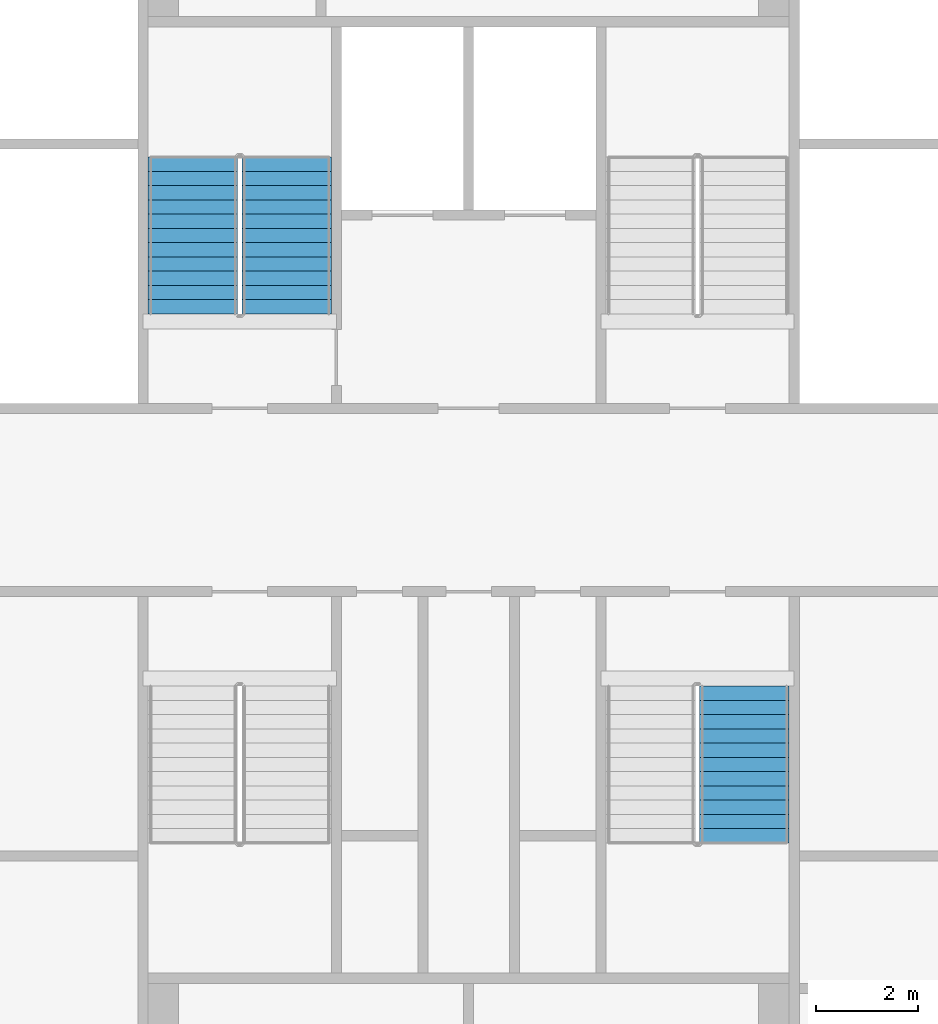
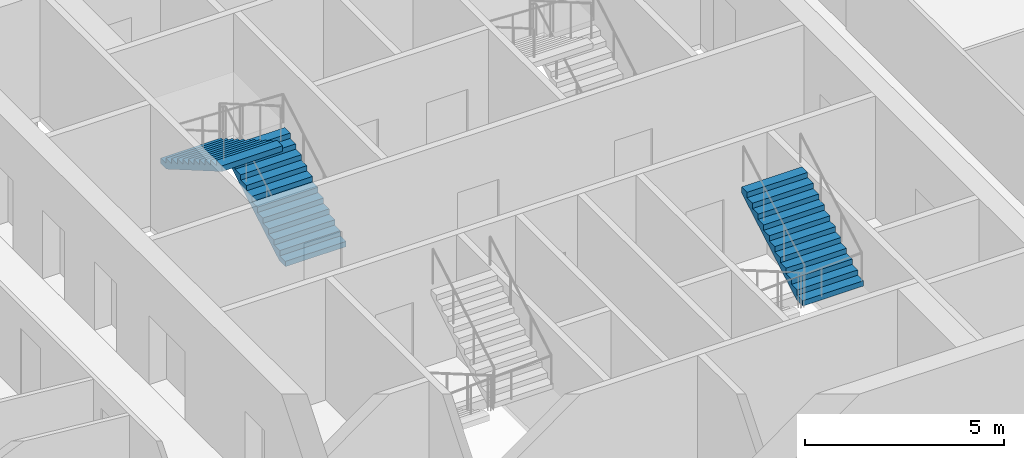
# One storey, part 8 of 14: 3 stair flights, 2 elements without a shape of their own.
"""IFC4 building model written with IfcOpenShell, lengths in metres."""

import ifcopenshell
import ifcopenshell.guid

model = None  # the IFC model being written
_history = None  # IfcOwnerHistory: only IFC2X3 demands one
_inside = {}  # id of a spatial element -> (the spatial element, [elements in it])
_under = {}  # id of a project, library or spatial element -> (it, [spatial elements below it])
_declared = {}  # id of a project -> (the project, [libraries it declares])
_typed = {}  # id of a type object -> (the type object, [elements of that type])
_made_of = {}  # id of a material, layer set ... -> (it, [elements and type objects made of it])


def new_model(schema):
    """Start an empty IFC model of exactly this schema.

    Asked for "IFC4X3", IfcOpenShell would pick the latest addendum, in which some entities
    have other attributes; the version numbers below select the first issue.
    IFC2X3 requires an IfcOwnerHistory on every rooted entity: one is made here for all.
    """
    global model, _history
    if schema == "IFC4X3":
        model = ifcopenshell.file(schema_version=(4, 3, 0, 0))
    else:
        model = ifcopenshell.file(schema=schema)
    _inside.clear()
    _under.clear()
    _declared.clear()
    _typed.clear()
    _made_of.clear()
    _history = None
    if model.schema == "IFC2X3":
        org = make("IfcOrganization", Name="unknown")
        user = make(
            "IfcPersonAndOrganization",
            ThePerson=make("IfcPerson", FamilyName="unknown"),
            TheOrganization=org,
        )
        app = make(
            "IfcApplication",
            ApplicationDeveloper=org,
            Version="unknown",
            ApplicationFullName="unknown",
            ApplicationIdentifier="unknown",
        )
        _history = make(
            "IfcOwnerHistory",
            OwningUser=user,
            OwningApplication=app,
            ChangeAction="ADDED",
            CreationDate=0,
        )
    return model


def make(cls, **values):
    """One entity of the class cls with the attributes given. An attribute that is None is left unset."""
    return model.create_entity(
        cls, **{name: value for name, value in values.items() if value is not None}
    )


def rooted(cls, **values):
    """An entity with a GlobalId (a new one), such as an element, a storey or a relation."""
    return make(cls, GlobalId=ifcopenshell.guid.new(), OwnerHistory=_history, **values)


def si_unit(unit_type, name, prefix=None):
    """IfcSIUnit, for example si_unit("LENGTHUNIT", "METRE", prefix="MILLI")."""
    return make("IfcSIUnit", UnitType=unit_type, Prefix=prefix, Name=name)


def assignment(units):
    """IfcUnitAssignment: the units of a project."""
    return None if units is None else make("IfcUnitAssignment", Units=units)


def point(xyz):
    """IfcCartesianPoint."""
    return None if xyz is None else make("IfcCartesianPoint", Coordinates=xyz)


def direction(xyz):
    """IfcDirection."""
    return None if xyz is None else make("IfcDirection", DirectionRatios=xyz)


def frame(location, z_axis=None, x_axis=None):
    """IfcAxis2Placement3D, a coordinate frame: its origin and axes. An axis left out is left unset."""
    return make(
        "IfcAxis2Placement3D",
        Location=point(location),
        Axis=direction(z_axis),
        RefDirection=direction(x_axis),
    )


def origin():
    """The frame at (0, 0, 0) with its axes left unset."""
    return frame((0.0, 0.0, 0.0))


def place(relative_to, where):
    """IfcLocalPlacement: puts the frame where relative to a parent placement (None: the world)."""
    return make(
        "IfcLocalPlacement", PlacementRelTo=relative_to, RelativePlacement=where
    )


def context(
    kind, dimensions, precision=None, world=None, true_north=None, identifier=None
):
    """IfcGeometricRepresentationContext, for example the 3D "Model" context."""
    return make(
        "IfcGeometricRepresentationContext",
        ContextIdentifier=identifier,
        ContextType=kind,
        CoordinateSpaceDimension=dimensions,
        Precision=precision,
        WorldCoordinateSystem=world,
        TrueNorth=true_north,
    )


def subcontext(parent, identifier, kind, view, scale=None):
    """IfcGeometricRepresentationSubContext, for example "Body" below "Model"."""
    return make(
        "IfcGeometricRepresentationSubContext",
        ContextIdentifier=identifier,
        ContextType=kind,
        ParentContext=parent,
        TargetScale=scale,
        TargetView=view,
    )


def project(units=None, contexts=None):
    """IfcProject with its units and contexts."""
    return rooted(
        "IfcProject",
        Name="project",
        RepresentationContexts=contexts,
        UnitsInContext=assignment(units),
    )


def spatial(cls, under=None, at=None, **own):
    """A site, building, storey or space (cls), placed at a placement, below another one or the project."""
    s = rooted(cls, ObjectPlacement=at, **own)
    if under is not None:
        _under.setdefault(under.id(), (under, []))[1].append(s)
    return s


def faces_of(points, faces, orient=None, outer=None):
    """IfcFace entities. A face is a list of loops; a loop is a list of indices into points, from 0.

    orient and outer hold one flag for each loop. By default every Orientation is true, the
    first loop of a face is its IfcFaceOuterBound and the others are IfcFaceBound.
    """
    made = []
    for i, loops in enumerate(faces):
        bounds = []
        for j, loop in enumerate(loops):
            is_outer = j == 0 if outer is None else outer[i][j]
            bounds.append(
                make(
                    "IfcFaceOuterBound" if is_outer else "IfcFaceBound",
                    Bound=make("IfcPolyLoop", Polygon=[points[k] for k in loop]),
                    Orientation=True if orient is None else orient[i][j],
                )
            )
        made.append(make("IfcFace", Bounds=bounds))
    return made


def faceted_brep(points, faces, orient=None, outer=None, voids=None):
    """IfcFacetedBrep: a solid bounded by flat faces; with voids (closed shells), ...WithVoids."""
    shared = [point(p) for p in points]
    hull = make("IfcClosedShell", CfsFaces=faces_of(shared, faces, orient, outer))
    if voids is None:
        return make("IfcFacetedBrep", Outer=hull)
    return make(
        "IfcFacetedBrepWithVoids",
        Outer=hull,
        Voids=[
            make(cls, CfsFaces=faces_of(shared, fs, o, b)) for cls, fs, o, b in voids
        ],
    )


def shape(context_of_items, identifier, shape_type, items):
    """IfcShapeRepresentation: the items that make up one representation, for example the "Body"."""
    return make(
        "IfcShapeRepresentation",
        ContextOfItems=context_of_items,
        RepresentationIdentifier=identifier,
        RepresentationType=shape_type,
        Items=items,
    )


def material(Name=None, Category=None):
    """IfcMaterial."""
    return make("IfcMaterial", Name=Name, Category=Category)


def made_of(thing, what):
    """Note that an element or type object is made of a material, layer set ...; save() writes the relation."""
    if what is not None:
        _made_of.setdefault(what.id(), (what, []))[1].append(thing)
    return thing


def type_object(cls, material=None, **own):
    """A type object (cls), such as IfcWallType, which elements share."""
    return made_of(rooted(cls, **own), material)


def element(
    cls,
    number,
    at=None,
    inside=None,
    cuts=None,
    type_object=None,
    material=None,
    context=None,
    identifier="Body",
    shape_type=None,
    held_by="IfcProductDefinitionShape",
    body=None,
    shapes=None,
    **own,
):
    """One element of the class cls, such as IfcWall. Its Tag is "e" and its number.

    at: its placement. inside: the storey or other place that contains it. cuts: it is an
    opening in that element (IfcRelVoidsElement). A single representation is given by context,
    identifier, shape_type and body (its items); several are given by shapes. held_by: the class
    of the entity that holds the representations. save() writes the other relations.
    """
    e = rooted(cls, Tag="e%d" % number, ObjectPlacement=at, **own)
    if body is not None:
        shapes = [shape(context, identifier, shape_type, body)]
    if shapes is not None:
        e.Representation = make(held_by, Representations=shapes)
    if inside is not None:
        _inside.setdefault(inside.id(), (inside, []))[1].append(e)
    if cuts is not None:
        rooted(
            "IfcRelVoidsElement", RelatingBuildingElement=cuts, RelatedOpeningElement=e
        )
    if type_object is not None:
        _typed.setdefault(type_object.id(), (type_object, []))[1].append(e)
    return made_of(e, material)


def aggregate(whole, parts):
    """IfcRelAggregates: a whole, such as a stair, and the parts it consists of."""
    return rooted("IfcRelAggregates", RelatingObject=whole, RelatedObjects=parts)


def save(model, path):
    """Write the relations noted so far, then the file.

    IfcRelAggregates (storeys below a building ...), IfcRelContainedInSpatialStructure (elements
    in a storey), IfcRelDefinesByType, IfcRelAssociatesMaterial and IfcRelDeclares: one each for
    every whole, place, type object, material and project.
    """
    for whole, parts in _under.values():
        aggregate(whole, parts)
    for where, things in _inside.values():
        rooted(
            "IfcRelContainedInSpatialStructure",
            RelatedElements=things,
            RelatingStructure=where,
        )
    for kind, things in _typed.values():
        rooted("IfcRelDefinesByType", RelatedObjects=things, RelatingType=kind)
    for what, things in _made_of.values():
        rooted("IfcRelAssociatesMaterial", RelatedObjects=things, RelatingMaterial=what)
    for by, libraries in _declared.values():
        rooted("IfcRelDeclares", RelatingContext=by, RelatedDefinitions=libraries)
    model.write(path)


model = new_model("IFC4")

# Units and contexts
model_context = context("Model", 3, precision=1e-05, world=origin(), true_north=direction((0.0, 1.0)))
body_context = subcontext(model_context, "Body", "Model", "MODEL_VIEW")
ifc_project = project(units=[si_unit("LENGTHUNIT", "METRE"), si_unit("AREAUNIT", "SQUARE_METRE"), si_unit("VOLUMEUNIT", "CUBIC_METRE"), si_unit("PLANEANGLEUNIT", "RADIAN"), si_unit("MASSUNIT", "GRAM", prefix="KILO")], contexts=[model_context])

# Site, building, storey
site_placement = place(None, origin())
site = spatial("IfcSite", under=ifc_project, at=site_placement, CompositionType="ELEMENT")
building_placement = place(site_placement, origin())
building = spatial("IfcBuilding", under=site, at=building_placement, Name="Tarsis Ring Headquarters", CompositionType="ELEMENT")
storey_placement = place(building_placement, frame((0.0, 0.0, 259.10009765625)))
storey = spatial("IfcBuildingStorey", under=building, at=storey_placement, Name="L60", CompositionType="ELEMENT", Elevation=259.10009765625)

# Stair, stair flights
ifc_material_1 = material(Name="Core stair 1760")
stair_type = type_object("IfcStairType", Name="Core stair 1760", PredefinedType="HALF_TURN_STAIR", material=ifc_material_1)
stair_1_placement = place(storey_placement, origin())
stair_1 = element("IfcStair", 1, at=stair_1_placement, inside=storey, type_object=stair_type, Name="L60 Firefighting stair", PredefinedType="HALF_TURN_STAIR")
ifc_material_2 = material(Name="Concrete C40/50", Category="concrete")
stair_flight_type = type_object("IfcStairFlightType", Name="Core stair flight 1760", PredefinedType="STRAIGHT", material=ifc_material_2)
stair_flight_1_placement = place(storey_placement, frame((-3.580078125, 3.659912109375, 0.0), z_axis=(0.0, 0.0, 1.0), x_axis=(0.0, 1.0, 0.0)))
stair_flight_1 = element("IfcStairFlight", 2, at=stair_flight_1_placement, type_object=stair_flight_type, Name="Stair ST1 flight 1", NumberOfRisers=12, NumberOfTreads=11, PredefinedType="STRAIGHT", RiserHeight=0.1625, TreadLength=0.28, context=body_context, shape_type="Brep", body=[
    faceted_brep([(0.0, 0.8798828125, 0.0), (0.0, 0.8798828125, 0.16259765625), (0.280029296875, 0.8798828125, 0.16259765625), (0.280029296875, 0.8798828125, 0.324951171875), (0.56005859375, 0.8798828125, 0.324951171875), (0.56005859375, 0.8798828125, 0.487548828125), (0.840087890625, 0.8798828125, 0.487548828125), (0.840087890625, 0.8798828125, 0.64990234375), (1.1201171875, 0.8798828125, 0.64990234375), (1.1201171875, 0.8798828125, 0.8125), (1.39990234375, 0.8798828125, 0.8125), (1.39990234375, 0.8798828125, 0.97509765625), (1.679931640625, 0.8798828125, 0.97509765625), (1.679931640625, 0.8798828125, 1.137451171875), (1.9599609375, 0.8798828125, 1.137451171875), (1.9599609375, 0.8798828125, 1.300048828125), (2.239990234375, 0.8798828125, 1.300048828125), (2.239990234375, 0.8798828125, 1.46240234375), (2.52001953125, 0.8798828125, 1.46240234375), (2.52001953125, 0.8798828125, 1.625), (2.800048828125, 0.8798828125, 1.625), (2.800048828125, 0.8798828125, 1.78759765625), (3.080078125, 0.8798828125, 1.78759765625), (3.080078125, 0.8798828125, 1.6142578125), (0.298583984375, 0.8798828125, 0.0), (0.298583984375, -0.8798828125, 0.0), (3.080078125, -0.8798828125, 1.6142578125), (3.080078125, -0.8798828125, 1.78759765625), (2.800048828125, -0.8798828125, 1.78759765625), (2.800048828125, -0.8798828125, 1.625), (2.52001953125, -0.8798828125, 1.625), (2.52001953125, -0.8798828125, 1.46240234375), (2.239990234375, -0.8798828125, 1.46240234375), (2.239990234375, -0.8798828125, 1.300048828125), (1.9599609375, -0.8798828125, 1.300048828125), (1.9599609375, -0.8798828125, 1.137451171875), (1.679931640625, -0.8798828125, 1.137451171875), (1.679931640625, -0.8798828125, 0.97509765625), (1.39990234375, -0.8798828125, 0.97509765625), (1.39990234375, -0.8798828125, 0.8125), (1.1201171875, -0.8798828125, 0.8125), (1.1201171875, -0.8798828125, 0.64990234375), (0.840087890625, -0.8798828125, 0.64990234375), (0.840087890625, -0.8798828125, 0.487548828125), (0.56005859375, -0.8798828125, 0.487548828125), (0.56005859375, -0.8798828125, 0.324951171875), (0.280029296875, -0.8798828125, 0.324951171875), (0.280029296875, -0.8798828125, 0.16259765625), (0.0, -0.8798828125, 0.16259765625), (0.0, -0.8798828125, 0.0), (0.0, -0.43994140625, 0.16259765625), (0.0, -0.43994140625, 0.0), (0.0, 0.0, 0.16259765625), (0.0, 0.0, 0.0), (0.0, 0.43994140625, 0.16259765625), (0.0, 0.43994140625, 0.0), (0.280029296875, -0.43994140625, 0.16259765625), (0.280029296875, 0.0, 0.16259765625), (0.280029296875, 0.43994140625, 0.16259765625), (0.280029296875, -0.43994140625, 0.324951171875), (0.280029296875, 0.0, 0.324951171875), (0.280029296875, 0.43994140625, 0.324951171875), (0.56005859375, -0.43994140625, 0.324951171875), (0.56005859375, 0.0, 0.324951171875), (0.56005859375, 0.43994140625, 0.324951171875), (0.56005859375, -0.43994140625, 0.487548828125), (0.56005859375, 0.0, 0.487548828125), (0.56005859375, 0.43994140625, 0.487548828125), (0.840087890625, -0.43994140625, 0.487548828125), (0.840087890625, 0.0, 0.487548828125), (0.840087890625, 0.43994140625, 0.487548828125), (0.840087890625, -0.43994140625, 0.64990234375), (0.840087890625, 0.0, 0.64990234375), (0.840087890625, 0.43994140625, 0.64990234375), (1.1201171875, -0.43994140625, 0.64990234375), (1.1201171875, 0.0, 0.64990234375), (1.1201171875, 0.43994140625, 0.64990234375), (1.1201171875, -0.43994140625, 0.8125), (1.1201171875, 0.0, 0.8125), (1.1201171875, 0.43994140625, 0.8125), (1.39990234375, -0.43994140625, 0.8125), (1.39990234375, 0.0, 0.8125), (1.39990234375, 0.43994140625, 0.8125), (1.39990234375, -0.43994140625, 0.97509765625), (1.39990234375, 0.0, 0.97509765625), (1.39990234375, 0.43994140625, 0.97509765625), (1.679931640625, -0.43994140625, 0.97509765625), (1.679931640625, 0.0, 0.97509765625), (1.679931640625, 0.43994140625, 0.97509765625), (1.679931640625, -0.43994140625, 1.137451171875), (1.679931640625, 0.0, 1.137451171875), (1.679931640625, 0.43994140625, 1.137451171875), (1.9599609375, -0.43994140625, 1.137451171875), (1.9599609375, 0.0, 1.137451171875), (1.9599609375, 0.43994140625, 1.137451171875), (1.9599609375, -0.43994140625, 1.300048828125), (1.9599609375, 0.0, 1.300048828125), (1.9599609375, 0.43994140625, 1.300048828125), (2.239990234375, -0.43994140625, 1.300048828125), (2.239990234375, 0.0, 1.300048828125), (2.239990234375, 0.43994140625, 1.300048828125), (2.239990234375, -0.43994140625, 1.46240234375), (2.239990234375, 0.0, 1.46240234375), (2.239990234375, 0.43994140625, 1.46240234375), (2.52001953125, -0.43994140625, 1.46240234375), (2.52001953125, 0.0, 1.46240234375), (2.52001953125, 0.43994140625, 1.46240234375), (2.52001953125, -0.43994140625, 1.625), (2.52001953125, 0.0, 1.625), (2.52001953125, 0.43994140625, 1.625), (2.800048828125, -0.43994140625, 1.625), (2.800048828125, 0.0, 1.625), (2.800048828125, 0.43994140625, 1.625), (2.800048828125, -0.43994140625, 1.78759765625), (2.800048828125, 0.0, 1.78759765625), (2.800048828125, 0.43994140625, 1.78759765625), (3.080078125, -0.43994140625, 1.78759765625), (3.080078125, 0.0, 1.78759765625), (3.080078125, 0.43994140625, 1.78759765625), (3.080078125, -0.43994140625, 1.6142578125), (3.080078125, 0.0, 1.6142578125), (3.080078125, 0.43994140625, 1.6142578125), (0.298583984375, -0.43994140625, 0.0), (0.298583984375, 0.0, 0.0), (0.298583984375, 0.43994140625, 0.0)], [[[0, 1, 2, 3, 4, 5, 6, 7, 8, 9, 10, 11, 12, 13, 14, 15, 16, 17, 18, 19, 20, 21, 22, 23, 24]], [[25, 26, 27, 28, 29, 30, 31, 32, 33, 34, 35, 36, 37, 38, 39, 40, 41, 42, 43, 44, 45, 46, 47, 48, 49]], [[49, 48, 50, 51]], [[51, 50, 52, 53]], [[53, 52, 54, 55]], [[55, 54, 1, 0]], [[48, 47, 56, 50]], [[50, 56, 57, 52]], [[52, 57, 58, 54]], [[54, 58, 2, 1]], [[47, 46, 59, 56]], [[56, 59, 60, 57]], [[57, 60, 61, 58]], [[58, 61, 3, 2]], [[46, 45, 62, 59]], [[59, 62, 63, 60]], [[60, 63, 64, 61]], [[61, 64, 4, 3]], [[45, 44, 65, 62]], [[62, 65, 66, 63]], [[63, 66, 67, 64]], [[64, 67, 5, 4]], [[44, 43, 68, 65]], [[65, 68, 69, 66]], [[66, 69, 70, 67]], [[67, 70, 6, 5]], [[43, 42, 71, 68]], [[68, 71, 72, 69]], [[69, 72, 73, 70]], [[70, 73, 7, 6]], [[42, 41, 74, 71]], [[71, 74, 75, 72]], [[72, 75, 76, 73]], [[73, 76, 8, 7]], [[41, 40, 77, 74]], [[74, 77, 78, 75]], [[75, 78, 79, 76]], [[76, 79, 9, 8]], [[40, 39, 80, 77]], [[77, 80, 81, 78]], [[78, 81, 82, 79]], [[79, 82, 10, 9]], [[39, 38, 83, 80]], [[80, 83, 84, 81]], [[81, 84, 85, 82]], [[82, 85, 11, 10]], [[38, 37, 86, 83]], [[83, 86, 87, 84]], [[84, 87, 88, 85]], [[85, 88, 12, 11]], [[37, 36, 89, 86]], [[86, 89, 90, 87]], [[87, 90, 91, 88]], [[88, 91, 13, 12]], [[36, 35, 92, 89]], [[89, 92, 93, 90]], [[90, 93, 94, 91]], [[91, 94, 14, 13]], [[35, 34, 95, 92]], [[92, 95, 96, 93]], [[93, 96, 97, 94]], [[94, 97, 15, 14]], [[34, 33, 98, 95]], [[95, 98, 99, 96]], [[96, 99, 100, 97]], [[97, 100, 16, 15]], [[33, 32, 101, 98]], [[98, 101, 102, 99]], [[99, 102, 103, 100]], [[100, 103, 17, 16]], [[32, 31, 104, 101]], [[101, 104, 105, 102]], [[102, 105, 106, 103]], [[103, 106, 18, 17]], [[31, 30, 107, 104]], [[104, 107, 108, 105]], [[105, 108, 109, 106]], [[106, 109, 19, 18]], [[30, 29, 110, 107]], [[107, 110, 111, 108]], [[108, 111, 112, 109]], [[109, 112, 20, 19]], [[29, 28, 113, 110]], [[110, 113, 114, 111]], [[111, 114, 115, 112]], [[112, 115, 21, 20]], [[28, 27, 116, 113]], [[113, 116, 117, 114]], [[114, 117, 118, 115]], [[115, 118, 22, 21]], [[27, 26, 119, 116]], [[116, 119, 120, 117]], [[117, 120, 121, 118]], [[118, 121, 23, 22]], [[26, 25, 122, 119]], [[119, 122, 123, 120]], [[120, 123, 124, 121]], [[121, 124, 24, 23]], [[25, 49, 51, 122]], [[122, 51, 53, 123]], [[123, 53, 55, 124]], [[124, 55, 0, 24]]]),
])
stair_flight_2_placement = place(storey_placement, frame((-5.419921875, 6.739990234375, 1.949951171875), z_axis=(0.0, 0.0, 1.0), x_axis=(0.0, -1.0, 0.0)))
stair_flight_2 = element("IfcStairFlight", 3, at=stair_flight_2_placement, type_object=stair_flight_type, Name="Stair ST1 flight 2", NumberOfRisers=12, NumberOfTreads=11, PredefinedType="STRAIGHT", RiserHeight=0.1625, TreadLength=0.28, context=body_context, shape_type="Brep", body=[
    faceted_brep([(0.0, 0.8798828125, 0.0), (0.0, 0.8798828125, 0.16259765625), (0.280029296875, 0.8798828125, 0.16259765625), (0.280029296875, 0.8798828125, 0.324951171875), (0.56005859375, 0.8798828125, 0.324951171875), (0.56005859375, 0.8798828125, 0.487548828125), (0.840087890625, 0.8798828125, 0.487548828125), (0.840087890625, 0.8798828125, 0.64990234375), (1.1201171875, 0.8798828125, 0.64990234375), (1.1201171875, 0.8798828125, 0.8125), (1.39990234375, 0.8798828125, 0.8125), (1.39990234375, 0.8798828125, 0.97509765625), (1.679931640625, 0.8798828125, 0.97509765625), (1.679931640625, 0.8798828125, 1.137451171875), (1.9599609375, 0.8798828125, 1.137451171875), (1.9599609375, 0.8798828125, 1.300048828125), (2.239990234375, 0.8798828125, 1.300048828125), (2.239990234375, 0.8798828125, 1.46240234375), (2.52001953125, 0.8798828125, 1.46240234375), (2.52001953125, 0.8798828125, 1.625), (2.800048828125, 0.8798828125, 1.625), (2.800048828125, 0.8798828125, 1.78759765625), (3.080078125, 0.8798828125, 1.78759765625), (3.080078125, 0.8798828125, 1.6142578125), (0.298583984375, 0.8798828125, 0.0), (0.298583984375, -0.8798828125, 0.0), (3.080078125, -0.8798828125, 1.6142578125), (3.080078125, -0.8798828125, 1.78759765625), (2.800048828125, -0.8798828125, 1.78759765625), (2.800048828125, -0.8798828125, 1.625), (2.52001953125, -0.8798828125, 1.625), (2.52001953125, -0.8798828125, 1.46240234375), (2.239990234375, -0.8798828125, 1.46240234375), (2.239990234375, -0.8798828125, 1.300048828125), (1.9599609375, -0.8798828125, 1.300048828125), (1.9599609375, -0.8798828125, 1.137451171875), (1.679931640625, -0.8798828125, 1.137451171875), (1.679931640625, -0.8798828125, 0.97509765625), (1.39990234375, -0.8798828125, 0.97509765625), (1.39990234375, -0.8798828125, 0.8125), (1.1201171875, -0.8798828125, 0.8125), (1.1201171875, -0.8798828125, 0.64990234375), (0.840087890625, -0.8798828125, 0.64990234375), (0.840087890625, -0.8798828125, 0.487548828125), (0.56005859375, -0.8798828125, 0.487548828125), (0.56005859375, -0.8798828125, 0.324951171875), (0.280029296875, -0.8798828125, 0.324951171875), (0.280029296875, -0.8798828125, 0.16259765625), (0.0, -0.8798828125, 0.16259765625), (0.0, -0.8798828125, 0.0), (0.0, -0.43994140625, 0.16259765625), (0.0, -0.43994140625, 0.0), (0.0, 0.0, 0.16259765625), (0.0, 0.0, 0.0), (0.0, 0.43994140625, 0.16259765625), (0.0, 0.43994140625, 0.0), (0.280029296875, -0.43994140625, 0.16259765625), (0.280029296875, 0.0, 0.16259765625), (0.280029296875, 0.43994140625, 0.16259765625), (0.280029296875, -0.43994140625, 0.324951171875), (0.280029296875, 0.0, 0.324951171875), (0.280029296875, 0.43994140625, 0.324951171875), (0.56005859375, -0.43994140625, 0.324951171875), (0.56005859375, 0.0, 0.324951171875), (0.56005859375, 0.43994140625, 0.324951171875), (0.56005859375, -0.43994140625, 0.487548828125), (0.56005859375, 0.0, 0.487548828125), (0.56005859375, 0.43994140625, 0.487548828125), (0.840087890625, -0.43994140625, 0.487548828125), (0.840087890625, 0.0, 0.487548828125), (0.840087890625, 0.43994140625, 0.487548828125), (0.840087890625, -0.43994140625, 0.64990234375), (0.840087890625, 0.0, 0.64990234375), (0.840087890625, 0.43994140625, 0.64990234375), (1.1201171875, -0.43994140625, 0.64990234375), (1.1201171875, 0.0, 0.64990234375), (1.1201171875, 0.43994140625, 0.64990234375), (1.1201171875, -0.43994140625, 0.8125), (1.1201171875, 0.0, 0.8125), (1.1201171875, 0.43994140625, 0.8125), (1.39990234375, -0.43994140625, 0.8125), (1.39990234375, 0.0, 0.8125), (1.39990234375, 0.43994140625, 0.8125), (1.39990234375, -0.43994140625, 0.97509765625), (1.39990234375, 0.0, 0.97509765625), (1.39990234375, 0.43994140625, 0.97509765625), (1.679931640625, -0.43994140625, 0.97509765625), (1.679931640625, 0.0, 0.97509765625), (1.679931640625, 0.43994140625, 0.97509765625), (1.679931640625, -0.43994140625, 1.137451171875), (1.679931640625, 0.0, 1.137451171875), (1.679931640625, 0.43994140625, 1.137451171875), (1.9599609375, -0.43994140625, 1.137451171875), (1.9599609375, 0.0, 1.137451171875), (1.9599609375, 0.43994140625, 1.137451171875), (1.9599609375, -0.43994140625, 1.300048828125), (1.9599609375, 0.0, 1.300048828125), (1.9599609375, 0.43994140625, 1.300048828125), (2.239990234375, -0.43994140625, 1.300048828125), (2.239990234375, 0.0, 1.300048828125), (2.239990234375, 0.43994140625, 1.300048828125), (2.239990234375, -0.43994140625, 1.46240234375), (2.239990234375, 0.0, 1.46240234375), (2.239990234375, 0.43994140625, 1.46240234375), (2.52001953125, -0.43994140625, 1.46240234375), (2.52001953125, 0.0, 1.46240234375), (2.52001953125, 0.43994140625, 1.46240234375), (2.52001953125, -0.43994140625, 1.625), (2.52001953125, 0.0, 1.625), (2.52001953125, 0.43994140625, 1.625), (2.800048828125, -0.43994140625, 1.625), (2.800048828125, 0.0, 1.625), (2.800048828125, 0.43994140625, 1.625), (2.800048828125, -0.43994140625, 1.78759765625), (2.800048828125, 0.0, 1.78759765625), (2.800048828125, 0.43994140625, 1.78759765625), (3.080078125, -0.43994140625, 1.78759765625), (3.080078125, 0.0, 1.78759765625), (3.080078125, 0.43994140625, 1.78759765625), (3.080078125, -0.43994140625, 1.6142578125), (3.080078125, 0.0, 1.6142578125), (3.080078125, 0.43994140625, 1.6142578125), (0.298583984375, -0.43994140625, 0.0), (0.298583984375, 0.0, 0.0), (0.298583984375, 0.43994140625, 0.0)], [[[0, 1, 2, 3, 4, 5, 6, 7, 8, 9, 10, 11, 12, 13, 14, 15, 16, 17, 18, 19, 20, 21, 22, 23, 24]], [[25, 26, 27, 28, 29, 30, 31, 32, 33, 34, 35, 36, 37, 38, 39, 40, 41, 42, 43, 44, 45, 46, 47, 48, 49]], [[49, 48, 50, 51]], [[51, 50, 52, 53]], [[53, 52, 54, 55]], [[55, 54, 1, 0]], [[48, 47, 56, 50]], [[50, 56, 57, 52]], [[52, 57, 58, 54]], [[54, 58, 2, 1]], [[47, 46, 59, 56]], [[56, 59, 60, 57]], [[57, 60, 61, 58]], [[58, 61, 3, 2]], [[46, 45, 62, 59]], [[59, 62, 63, 60]], [[60, 63, 64, 61]], [[61, 64, 4, 3]], [[45, 44, 65, 62]], [[62, 65, 66, 63]], [[63, 66, 67, 64]], [[64, 67, 5, 4]], [[44, 43, 68, 65]], [[65, 68, 69, 66]], [[66, 69, 70, 67]], [[67, 70, 6, 5]], [[43, 42, 71, 68]], [[68, 71, 72, 69]], [[69, 72, 73, 70]], [[70, 73, 7, 6]], [[42, 41, 74, 71]], [[71, 74, 75, 72]], [[72, 75, 76, 73]], [[73, 76, 8, 7]], [[41, 40, 77, 74]], [[74, 77, 78, 75]], [[75, 78, 79, 76]], [[76, 79, 9, 8]], [[40, 39, 80, 77]], [[77, 80, 81, 78]], [[78, 81, 82, 79]], [[79, 82, 10, 9]], [[39, 38, 83, 80]], [[80, 83, 84, 81]], [[81, 84, 85, 82]], [[82, 85, 11, 10]], [[38, 37, 86, 83]], [[83, 86, 87, 84]], [[84, 87, 88, 85]], [[85, 88, 12, 11]], [[37, 36, 89, 86]], [[86, 89, 90, 87]], [[87, 90, 91, 88]], [[88, 91, 13, 12]], [[36, 35, 92, 89]], [[89, 92, 93, 90]], [[90, 93, 94, 91]], [[91, 94, 14, 13]], [[35, 34, 95, 92]], [[92, 95, 96, 93]], [[93, 96, 97, 94]], [[94, 97, 15, 14]], [[34, 33, 98, 95]], [[95, 98, 99, 96]], [[96, 99, 100, 97]], [[97, 100, 16, 15]], [[33, 32, 101, 98]], [[98, 101, 102, 99]], [[99, 102, 103, 100]], [[100, 103, 17, 16]], [[32, 31, 104, 101]], [[101, 104, 105, 102]], [[102, 105, 106, 103]], [[103, 106, 18, 17]], [[31, 30, 107, 104]], [[104, 107, 108, 105]], [[105, 108, 109, 106]], [[106, 109, 19, 18]], [[30, 29, 110, 107]], [[107, 110, 111, 108]], [[108, 111, 112, 109]], [[109, 112, 20, 19]], [[29, 28, 113, 110]], [[110, 113, 114, 111]], [[111, 114, 115, 112]], [[112, 115, 21, 20]], [[28, 27, 116, 113]], [[113, 116, 117, 114]], [[114, 117, 118, 115]], [[115, 118, 22, 21]], [[27, 26, 119, 116]], [[116, 119, 120, 117]], [[117, 120, 121, 118]], [[118, 121, 23, 22]], [[26, 25, 122, 119]], [[119, 122, 123, 120]], [[120, 123, 124, 121]], [[121, 124, 24, 23]], [[25, 49, 51, 122]], [[122, 51, 53, 123]], [[123, 53, 55, 124]], [[124, 55, 0, 24]]]),
])
aggregate(stair_1, [stair_flight_1, stair_flight_2])

# Stair, stair flight
stair_2_placement = place(storey_placement, origin())
stair_2 = element("IfcStair", 4, at=stair_2_placement, inside=storey, type_object=stair_type, Name="L60 Exit stair D", PredefinedType="HALF_TURN_STAIR")
stair_flight_3_placement = place(storey_placement, frame((5.419921875, -6.739990234375, 1.949951171875), z_axis=(0.0, 0.0, 1.0), x_axis=(0.0, 1.0, 0.0)))
stair_flight_3 = element("IfcStairFlight", 5, at=stair_flight_3_placement, type_object=stair_flight_type, Name="Stair ST4 flight 2", NumberOfRisers=12, NumberOfTreads=11, PredefinedType="STRAIGHT", RiserHeight=0.1625, TreadLength=0.28, context=body_context, shape_type="Brep", body=[
    faceted_brep([(0.0, 0.8798828125, 0.0), (0.0, 0.8798828125, 0.16259765625), (0.280029296875, 0.8798828125, 0.16259765625), (0.280029296875, 0.8798828125, 0.324951171875), (0.56005859375, 0.8798828125, 0.324951171875), (0.56005859375, 0.8798828125, 0.487548828125), (0.840087890625, 0.8798828125, 0.487548828125), (0.840087890625, 0.8798828125, 0.64990234375), (1.1201171875, 0.8798828125, 0.64990234375), (1.1201171875, 0.8798828125, 0.8125), (1.39990234375, 0.8798828125, 0.8125), (1.39990234375, 0.8798828125, 0.97509765625), (1.679931640625, 0.8798828125, 0.97509765625), (1.679931640625, 0.8798828125, 1.137451171875), (1.9599609375, 0.8798828125, 1.137451171875), (1.9599609375, 0.8798828125, 1.300048828125), (2.239990234375, 0.8798828125, 1.300048828125), (2.239990234375, 0.8798828125, 1.46240234375), (2.52001953125, 0.8798828125, 1.46240234375), (2.52001953125, 0.8798828125, 1.625), (2.800048828125, 0.8798828125, 1.625), (2.800048828125, 0.8798828125, 1.78759765625), (3.080078125, 0.8798828125, 1.78759765625), (3.080078125, 0.8798828125, 1.6142578125), (0.298583984375, 0.8798828125, 0.0), (0.298583984375, -0.8798828125, 0.0), (3.080078125, -0.8798828125, 1.6142578125), (3.080078125, -0.8798828125, 1.78759765625), (2.800048828125, -0.8798828125, 1.78759765625), (2.800048828125, -0.8798828125, 1.625), (2.52001953125, -0.8798828125, 1.625), (2.52001953125, -0.8798828125, 1.46240234375), (2.239990234375, -0.8798828125, 1.46240234375), (2.239990234375, -0.8798828125, 1.300048828125), (1.9599609375, -0.8798828125, 1.300048828125), (1.9599609375, -0.8798828125, 1.137451171875), (1.679931640625, -0.8798828125, 1.137451171875), (1.679931640625, -0.8798828125, 0.97509765625), (1.39990234375, -0.8798828125, 0.97509765625), (1.39990234375, -0.8798828125, 0.8125), (1.1201171875, -0.8798828125, 0.8125), (1.1201171875, -0.8798828125, 0.64990234375), (0.840087890625, -0.8798828125, 0.64990234375), (0.840087890625, -0.8798828125, 0.487548828125), (0.56005859375, -0.8798828125, 0.487548828125), (0.56005859375, -0.8798828125, 0.324951171875), (0.280029296875, -0.8798828125, 0.324951171875), (0.280029296875, -0.8798828125, 0.16259765625), (0.0, -0.8798828125, 0.16259765625), (0.0, -0.8798828125, 0.0), (0.0, -0.43994140625, 0.16259765625), (0.0, -0.43994140625, 0.0), (0.0, 0.0, 0.16259765625), (0.0, 0.0, 0.0), (0.0, 0.43994140625, 0.16259765625), (0.0, 0.43994140625, 0.0), (0.280029296875, -0.43994140625, 0.16259765625), (0.280029296875, 0.0, 0.16259765625), (0.280029296875, 0.43994140625, 0.16259765625), (0.280029296875, -0.43994140625, 0.324951171875), (0.280029296875, 0.0, 0.324951171875), (0.280029296875, 0.43994140625, 0.324951171875), (0.56005859375, -0.43994140625, 0.324951171875), (0.56005859375, 0.0, 0.324951171875), (0.56005859375, 0.43994140625, 0.324951171875), (0.56005859375, -0.43994140625, 0.487548828125), (0.56005859375, 0.0, 0.487548828125), (0.56005859375, 0.43994140625, 0.487548828125), (0.840087890625, -0.43994140625, 0.487548828125), (0.840087890625, 0.0, 0.487548828125), (0.840087890625, 0.43994140625, 0.487548828125), (0.840087890625, -0.43994140625, 0.64990234375), (0.840087890625, 0.0, 0.64990234375), (0.840087890625, 0.43994140625, 0.64990234375), (1.1201171875, -0.43994140625, 0.64990234375), (1.1201171875, 0.0, 0.64990234375), (1.1201171875, 0.43994140625, 0.64990234375), (1.1201171875, -0.43994140625, 0.8125), (1.1201171875, 0.0, 0.8125), (1.1201171875, 0.43994140625, 0.8125), (1.39990234375, -0.43994140625, 0.8125), (1.39990234375, 0.0, 0.8125), (1.39990234375, 0.43994140625, 0.8125), (1.39990234375, -0.43994140625, 0.97509765625), (1.39990234375, 0.0, 0.97509765625), (1.39990234375, 0.43994140625, 0.97509765625), (1.679931640625, -0.43994140625, 0.97509765625), (1.679931640625, 0.0, 0.97509765625), (1.679931640625, 0.43994140625, 0.97509765625), (1.679931640625, -0.43994140625, 1.137451171875), (1.679931640625, 0.0, 1.137451171875), (1.679931640625, 0.43994140625, 1.137451171875), (1.9599609375, -0.43994140625, 1.137451171875), (1.9599609375, 0.0, 1.137451171875), (1.9599609375, 0.43994140625, 1.137451171875), (1.9599609375, -0.43994140625, 1.300048828125), (1.9599609375, 0.0, 1.300048828125), (1.9599609375, 0.43994140625, 1.300048828125), (2.239990234375, -0.43994140625, 1.300048828125), (2.239990234375, 0.0, 1.300048828125), (2.239990234375, 0.43994140625, 1.300048828125), (2.239990234375, -0.43994140625, 1.46240234375), (2.239990234375, 0.0, 1.46240234375), (2.239990234375, 0.43994140625, 1.46240234375), (2.52001953125, -0.43994140625, 1.46240234375), (2.52001953125, 0.0, 1.46240234375), (2.52001953125, 0.43994140625, 1.46240234375), (2.52001953125, -0.43994140625, 1.625), (2.52001953125, 0.0, 1.625), (2.52001953125, 0.43994140625, 1.625), (2.800048828125, -0.43994140625, 1.625), (2.800048828125, 0.0, 1.625), (2.800048828125, 0.43994140625, 1.625), (2.800048828125, -0.43994140625, 1.78759765625), (2.800048828125, 0.0, 1.78759765625), (2.800048828125, 0.43994140625, 1.78759765625), (3.080078125, -0.43994140625, 1.78759765625), (3.080078125, 0.0, 1.78759765625), (3.080078125, 0.43994140625, 1.78759765625), (3.080078125, -0.43994140625, 1.6142578125), (3.080078125, 0.0, 1.6142578125), (3.080078125, 0.43994140625, 1.6142578125), (0.298583984375, -0.43994140625, 0.0), (0.298583984375, 0.0, 0.0), (0.298583984375, 0.43994140625, 0.0)], [[[0, 1, 2, 3, 4, 5, 6, 7, 8, 9, 10, 11, 12, 13, 14, 15, 16, 17, 18, 19, 20, 21, 22, 23, 24]], [[25, 26, 27, 28, 29, 30, 31, 32, 33, 34, 35, 36, 37, 38, 39, 40, 41, 42, 43, 44, 45, 46, 47, 48, 49]], [[49, 48, 50, 51]], [[51, 50, 52, 53]], [[53, 52, 54, 55]], [[55, 54, 1, 0]], [[48, 47, 56, 50]], [[50, 56, 57, 52]], [[52, 57, 58, 54]], [[54, 58, 2, 1]], [[47, 46, 59, 56]], [[56, 59, 60, 57]], [[57, 60, 61, 58]], [[58, 61, 3, 2]], [[46, 45, 62, 59]], [[59, 62, 63, 60]], [[60, 63, 64, 61]], [[61, 64, 4, 3]], [[45, 44, 65, 62]], [[62, 65, 66, 63]], [[63, 66, 67, 64]], [[64, 67, 5, 4]], [[44, 43, 68, 65]], [[65, 68, 69, 66]], [[66, 69, 70, 67]], [[67, 70, 6, 5]], [[43, 42, 71, 68]], [[68, 71, 72, 69]], [[69, 72, 73, 70]], [[70, 73, 7, 6]], [[42, 41, 74, 71]], [[71, 74, 75, 72]], [[72, 75, 76, 73]], [[73, 76, 8, 7]], [[41, 40, 77, 74]], [[74, 77, 78, 75]], [[75, 78, 79, 76]], [[76, 79, 9, 8]], [[40, 39, 80, 77]], [[77, 80, 81, 78]], [[78, 81, 82, 79]], [[79, 82, 10, 9]], [[39, 38, 83, 80]], [[80, 83, 84, 81]], [[81, 84, 85, 82]], [[82, 85, 11, 10]], [[38, 37, 86, 83]], [[83, 86, 87, 84]], [[84, 87, 88, 85]], [[85, 88, 12, 11]], [[37, 36, 89, 86]], [[86, 89, 90, 87]], [[87, 90, 91, 88]], [[88, 91, 13, 12]], [[36, 35, 92, 89]], [[89, 92, 93, 90]], [[90, 93, 94, 91]], [[91, 94, 14, 13]], [[35, 34, 95, 92]], [[92, 95, 96, 93]], [[93, 96, 97, 94]], [[94, 97, 15, 14]], [[34, 33, 98, 95]], [[95, 98, 99, 96]], [[96, 99, 100, 97]], [[97, 100, 16, 15]], [[33, 32, 101, 98]], [[98, 101, 102, 99]], [[99, 102, 103, 100]], [[100, 103, 17, 16]], [[32, 31, 104, 101]], [[101, 104, 105, 102]], [[102, 105, 106, 103]], [[103, 106, 18, 17]], [[31, 30, 107, 104]], [[104, 107, 108, 105]], [[105, 108, 109, 106]], [[106, 109, 19, 18]], [[30, 29, 110, 107]], [[107, 110, 111, 108]], [[108, 111, 112, 109]], [[109, 112, 20, 19]], [[29, 28, 113, 110]], [[110, 113, 114, 111]], [[111, 114, 115, 112]], [[112, 115, 21, 20]], [[28, 27, 116, 113]], [[113, 116, 117, 114]], [[114, 117, 118, 115]], [[115, 118, 22, 21]], [[27, 26, 119, 116]], [[116, 119, 120, 117]], [[117, 120, 121, 118]], [[118, 121, 23, 22]], [[26, 25, 122, 119]], [[119, 122, 123, 120]], [[120, 123, 124, 121]], [[121, 124, 24, 23]], [[25, 49, 51, 122]], [[122, 51, 53, 123]], [[123, 53, 55, 124]], [[124, 55, 0, 24]]]),
])
aggregate(stair_2, [stair_flight_3])

save(model, "model.ifc")
